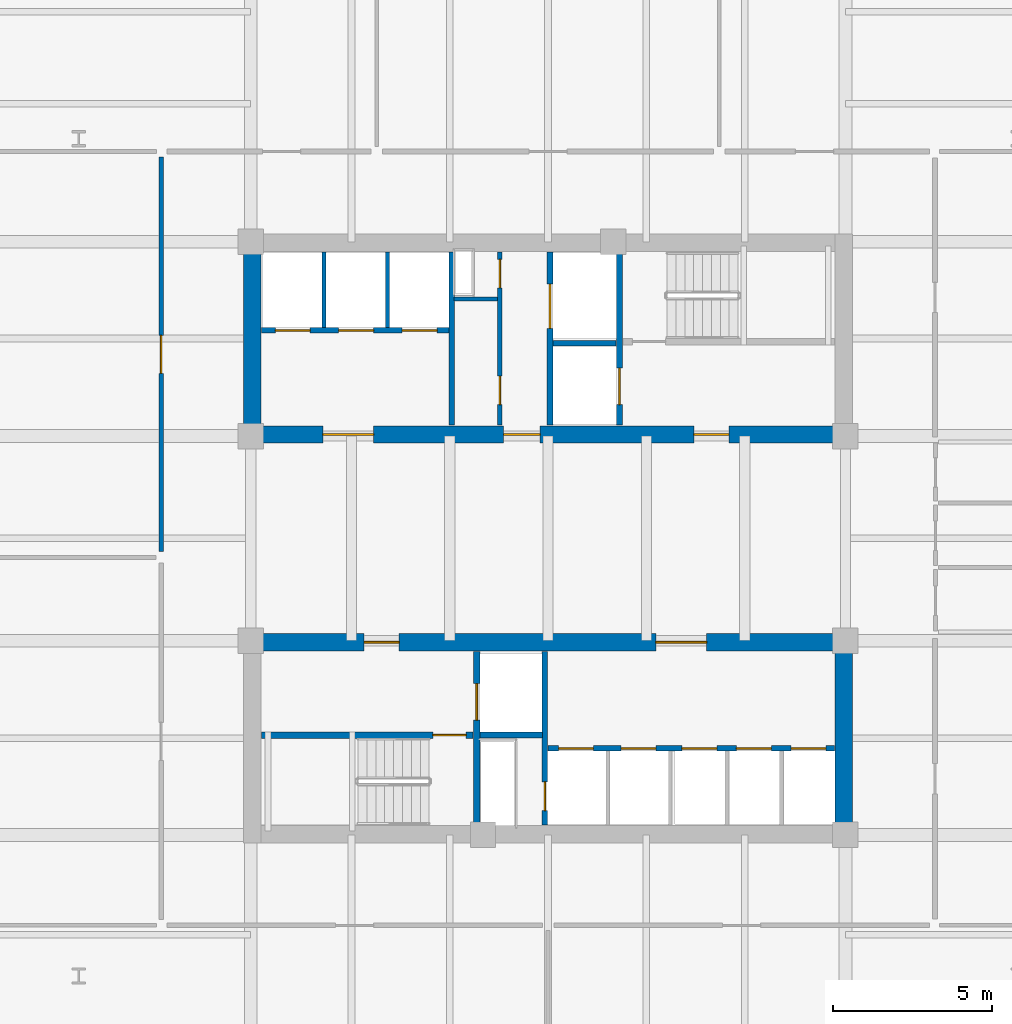
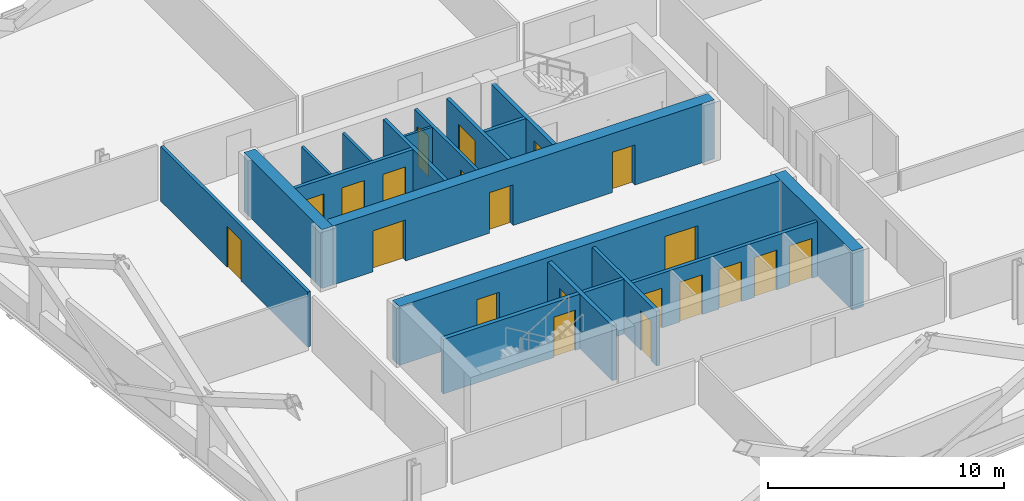
# One storey, part 4 of 8: 21 doors, 19 walls, 21 openings.
"""IFC4 building model written with IfcOpenShell, lengths in metres."""

from ifc_helpers import new_model, si_unit, direction, frame, frame_2d, origin, place, context, subcontext, project, spatial, rectangle, extrude, material, layer, layer_set, type_object, element, fill, save


model = new_model("IFC4")

# Units and contexts
model_context = context("Model", 3, precision=1e-05, world=origin(), true_north=direction((0.0, 1.0)))
body_context = subcontext(model_context, "Body", "Model", "MODEL_VIEW")
ifc_project = project(units=[si_unit("LENGTHUNIT", "METRE"), si_unit("AREAUNIT", "SQUARE_METRE"), si_unit("VOLUMEUNIT", "CUBIC_METRE"), si_unit("PLANEANGLEUNIT", "RADIAN"), si_unit("MASSUNIT", "GRAM", prefix="KILO")], contexts=[model_context])

# Site, building, storey
site_placement = place(None, origin())
site = spatial("IfcSite", under=ifc_project, at=site_placement, CompositionType="ELEMENT")
building_placement = place(site_placement, origin())
building = spatial("IfcBuilding", under=site, at=building_placement, Name="Qhalaya Broadcast Tower", CompositionType="ELEMENT")
storey_placement = place(building_placement, frame((0.0, 0.0, 93.85009765625)))
storey = spatial("IfcBuildingStorey", under=building, at=storey_placement, Name="L27", CompositionType="ELEMENT", Elevation=93.85009765625)

# Wall, openings, doors
ifc_material_1 = material(Name="Gypsum Acoustic Partition")
ifc_layer_1 = layer(ifc_material_1, 0.14990234375, Name="Gypsum Acoustic Partition")
ifc_layer_set_1 = layer_set([ifc_layer_1], Name="Gypsum Acoustic Partition")
wall_type_1 = type_object("IfcWallType", Name="Corridor & Tenancy Acoustic Partition 150", PredefinedType="PARTITIONING", material=ifc_layer_set_1)
wall_1_placement = place(storey_placement, frame((-1.52001953125, 4.169921875, 0.0), z_axis=(0.0, 0.0, 1.0), x_axis=(0.0, 1.0, 0.0)))
wall_1 = element("IfcWall", 1, at=wall_1_placement, inside=storey, type_object=wall_type_1, Name="L27 Partition Wall NCW-SVL", PredefinedType="PARTITIONING", context=body_context, shape_type="SweptSolid", body=[
    extrude(rectangle(XDim=5.4599609375, YDim=0.14990234375, at=frame_2d((2.72998046875, 0.0))), origin(), (0.0, 0.0, 1.0), 2.829833984375),
])
opening_1_placement = place(wall_1_placement, frame((4.330078125, 0.0, 0.0)))
opening_1 = element("IfcOpeningElement", 2, at=opening_1_placement, cuts=wall_1, Name="Opening D06", PredefinedType="OPENING", context=body_context, shape_type="SweptSolid", body=[
    extrude(rectangle(XDim=0.89990234375, YDim=2.050048828125, at=frame_2d((0.449951171875, 1.02490234375))), frame((0.0, 0.0869140625, 0.0), z_axis=(0.0, -1.0, 0.0), x_axis=(1.0, 0.0, 0.0)), (0.0, 0.0, 1.0), 0.173828125),
])
opening_2_placement = place(wall_1_placement, frame((0.64990234375, 0.0, 0.0)))
opening_2 = element("IfcOpeningElement", 3, at=opening_2_placement, cuts=wall_1, Name="Opening D06", PredefinedType="OPENING", context=body_context, shape_type="SweptSolid", body=[
    extrude(rectangle(XDim=0.89990234375, YDim=2.050048828125, at=frame_2d((0.449951171875, 1.02490234375))), frame((0.0, 0.0869140625, 0.0), z_axis=(0.0, -1.0, 0.0), x_axis=(1.0, 0.0, 0.0)), (0.0, 0.0, 1.0), 0.173828125),
])
ifc_material_2 = material(Name="Fire-Rated Steel Door", Category="steel")
door_type_1 = type_object("IfcDoorType", Name="Riser & Electrical Shaft Access Door D06", OperationType="NOTDEFINED", PredefinedType="DOOR", material=ifc_material_2)
door_1_placement = place(opening_1_placement, origin())
door_1 = element("IfcDoor", 4, at=door_1_placement, inside=storey, type_object=door_type_1, Name="L27 Riser Shaft Access Door D-NRSR", OperationType="SINGLE_SWING_RIGHT", OverallHeight=2.050048828125, OverallWidth=0.89990234375, PredefinedType="DOOR", context=body_context, shape_type="SweptSolid", body=[
    extrude(rectangle(XDim=0.89990234375, YDim=2.050048828125, at=frame_2d((0.449951171875, 1.02490234375))), frame((0.0, 0.02490234375, 0.0), z_axis=(0.0, -1.0, 0.0), x_axis=(1.0, 0.0, 0.0)), (0.0, 0.0, 1.0), 0.050048828125),
])
fill(opening_1, door_1)
door_2_placement = place(opening_2_placement, origin())
door_2 = element("IfcDoor", 5, at=door_2_placement, inside=storey, type_object=door_type_1, Name="L27 Door D-NCST", OperationType="SINGLE_SWING_LEFT", OverallHeight=2.050048828125, OverallWidth=0.89990234375, PredefinedType="DOOR", context=body_context, shape_type="SweptSolid", body=[
    extrude(rectangle(XDim=0.89990234375, YDim=2.050048828125, at=frame_2d((0.449951171875, 1.02490234375))), frame((0.0, 0.02490234375, 0.0), z_axis=(0.0, -1.0, 0.0), x_axis=(1.0, 0.0, 0.0)), (0.0, 0.0, 1.0), 0.050048828125),
])
fill(opening_2, door_2)

# Wall, opening, door
wall_2_placement = place(storey_placement, frame((-12.199951171875, 0.179931640625, 0.0), z_axis=(0.0, 0.0, 1.0), x_axis=(0.0, 1.0, 0.0)))
wall_2 = element("IfcWall", 6, at=wall_2_placement, inside=storey, type_object=wall_type_1, Name="L27 Partition Wall W-COR-07", PredefinedType="PARTITIONING", context=body_context, shape_type="SweptSolid", body=[
    extrude(rectangle(XDim=12.440185546875, YDim=0.14990234375, at=frame_2d((6.22021484375, 0.0))), origin(), (0.0, 0.0, 1.0), 2.829833984375),
])
opening_3_placement = place(wall_2_placement, frame((5.6201171875, 0.0, 0.0)))
opening_3 = element("IfcOpeningElement", 7, at=opening_3_placement, cuts=wall_2, Name="Opening D11", PredefinedType="OPENING", context=body_context, shape_type="SweptSolid", body=[
    extrude(rectangle(XDim=1.199951171875, YDim=2.10009765625, at=frame_2d((0.60009765625, 1.050048828125))), frame((0.0, 0.0869140625, 0.0), z_axis=(0.0, -1.0, 0.0), x_axis=(1.0, 0.0, 0.0)), (0.0, 0.0, 1.0), 0.173828125),
])
ifc_material_3 = material(Name="Anodised Aluminium Glazed Door", Category="aluminium")
door_type_2 = type_object("IfcDoorType", Name="Conference, Boardroom & Studio Control Door D11", OperationType="NOTDEFINED", PredefinedType="DOOR", material=ifc_material_3)
door_3_placement = place(opening_3_placement, origin())
door_3 = element("IfcDoor", 8, at=door_3_placement, inside=storey, type_object=door_type_2, Name="L27 Door D-RM07", OperationType="SINGLE_SWING_LEFT", OverallHeight=2.10009765625, OverallWidth=1.199951171875, PredefinedType="DOOR", context=body_context, shape_type="SweptSolid", body=[
    extrude(rectangle(XDim=1.199951171875, YDim=2.10009765625, at=frame_2d((0.60009765625, 1.050048828125))), frame((0.0, 0.02490234375, 0.0), z_axis=(0.0, -1.0, 0.0), x_axis=(1.0, 0.0, 0.0)), (0.0, 0.0, 1.0), 0.050048828125),
])
fill(opening_3, door_3)

ifc_material_4 = material(Name="Concrete C50/60", Category="concrete")
ifc_layer_2 = layer(ifc_material_4, 0.199951171875, Name="Concrete C50/60")
ifc_layer_set_2 = layer_set([ifc_layer_2], Name="Concrete C50/60")
wall_type_2 = type_object("IfcWallType", Name="Load-Bearing Stair Shaft Wall 200", PredefinedType="SHEAR", material=ifc_layer_set_2)
wall_3_placement = place(storey_placement, frame((2.25, 4.169921875, 0.0), z_axis=(0.0, 0.0, 1.0), x_axis=(0.0, 1.0, 0.0)))
wall_3 = element("IfcWall", 9, at=wall_3_placement, inside=storey, type_object=wall_type_2, Name="L27 Stair Core Shear Wall NCW-FF", PredefinedType="SHEAR", context=body_context, shape_type="SweptSolid", body=[
    extrude(rectangle(XDim=5.4599609375, YDim=0.199951171875, at=frame_2d((2.72998046875, 0.0))), origin(), (0.0, 0.0, 1.0), 2.829833984375),
])
opening_4_placement = place(wall_3_placement, frame((0.64990234375, 0.0, 0.0)))
opening_4 = element("IfcOpeningElement", 10, at=opening_4_placement, cuts=wall_3, Name="Opening LD2", PredefinedType="OPENING", context=body_context, shape_type="SweptSolid", body=[
    extrude(rectangle(XDim=1.14990234375, YDim=2.080078125, at=frame_2d((0.574951171875, 1.0400390625))), frame((0.0, 0.112060546875, 0.0), z_axis=(0.0, -1.0, 0.0), x_axis=(1.0, 0.0, 0.0)), (0.0, 0.0, 1.0), 0.223876953125),
])
ifc_material_5 = material(Name="Brushed Stainless Steel Lift Door", Category="steel")
door_type_3 = type_object("IfcDoorType", Name="Firefighting Lift Sliding Landing Door LD2", OperationType="DOUBLE_DOOR_SLIDING", PredefinedType="DOOR", material=ifc_material_5)
door_4_placement = place(opening_4_placement, origin())
door_4 = element("IfcDoor", 11, at=door_4_placement, inside=storey, type_object=door_type_3, Name="L27 Door LD-FF1", OperationType="DOUBLE_DOOR_SLIDING", OverallHeight=2.080078125, OverallWidth=1.14990234375, PredefinedType="DOOR", context=body_context, shape_type="SweptSolid", body=[
    extrude(rectangle(XDim=1.14990234375, YDim=2.080078125, at=frame_2d((0.574951171875, 1.0400390625))), frame((0.0, 0.02490234375, 0.0), z_axis=(0.0, -1.0, 0.0), x_axis=(1.0, 0.0, 0.0)), (0.0, 0.0, 1.0), 0.050048828125),
])
fill(opening_4, door_4)

wall_4_placement = place(storey_placement, frame((-9.030029296875, -5.60498046875, 0.0), z_axis=(0.0, 0.0, 1.0), x_axis=(1.0, 0.0, 0.0)))
wall_4 = element("IfcWall", 12, at=wall_4_placement, inside=storey, type_object=wall_type_2, Name="L27 Stair Core Shear Wall SCW-ST2", PredefinedType="SHEAR", context=body_context, shape_type="SweptSolid", body=[
    extrude(rectangle(XDim=6.669921875, YDim=0.199951171875, at=frame_2d((3.3349609375, 0.0))), origin(), (0.0, 0.0, 1.0), 2.829833984375),
])
opening_5_placement = place(wall_4_placement, frame((5.39990234375, 0.0, 0.0)))
opening_5 = element("IfcOpeningElement", 13, at=opening_5_placement, cuts=wall_4, Name="Opening D03", PredefinedType="OPENING", context=body_context, shape_type="SweptSolid", body=[
    extrude(rectangle(XDim=1.050048828125, YDim=2.080078125, at=frame_2d((0.52490234375, 1.0400390625))), frame((0.0, 0.112060546875, 0.0), z_axis=(0.0, -1.0, 0.0), x_axis=(1.0, 0.0, 0.0)), (0.0, 0.0, 1.0), 0.223876953125),
])
door_type_4 = type_object("IfcDoorType", Name="Core Stair Protected Fire Door D03", OperationType="NOTDEFINED", PredefinedType="DOOR", material=ifc_material_2)
door_5_placement = place(opening_5_placement, origin())
door_5 = element("IfcDoor", 14, at=door_5_placement, inside=storey, type_object=door_type_4, Name="L27 Door D-SST2", OperationType="SINGLE_SWING_RIGHT", OverallHeight=2.080078125, OverallWidth=1.050048828125, PredefinedType="DOOR", context=body_context, shape_type="SweptSolid", body=[
    extrude(rectangle(XDim=1.050048828125, YDim=2.080078125, at=frame_2d((0.52490234375, 1.0400390625))), frame((0.0, 0.02490234375, 0.0), z_axis=(0.0, -1.0, 0.0), x_axis=(1.0, 0.0, 0.0)), (0.0, 0.0, 1.0), 0.050048828125),
])
fill(opening_5, door_5)

wall_5_placement = place(storey_placement, frame((-2.25, -8.429931640625, 0.0), z_axis=(0.0, 0.0, 1.0), x_axis=(0.0, 1.0, 0.0)))
wall_5 = element("IfcWall", 15, at=wall_5_placement, inside=storey, type_object=wall_type_2, Name="L27 Stair Core Shear Wall SCW-FF", PredefinedType="SHEAR", context=body_context, shape_type="SweptSolid", body=[
    extrude(rectangle(XDim=5.4599609375, YDim=0.199951171875, at=frame_2d((2.72998046875, 0.0))), origin(), (0.0, 0.0, 1.0), 2.829833984375),
])
opening_6_placement = place(wall_5_placement, frame((3.300048828125, 0.0, 0.0)))
opening_6 = element("IfcOpeningElement", 16, at=opening_6_placement, cuts=wall_5, Name="Opening LD2", PredefinedType="OPENING", context=body_context, shape_type="SweptSolid", body=[
    extrude(rectangle(XDim=1.14990234375, YDim=2.080078125, at=frame_2d((0.574951171875, 1.0400390625))), frame((0.0, 0.112060546875, 0.0), z_axis=(0.0, -1.0, 0.0), x_axis=(1.0, 0.0, 0.0)), (0.0, 0.0, 1.0), 0.223876953125),
])
door_6_placement = place(opening_6_placement, origin())
door_6 = element("IfcDoor", 17, at=door_6_placement, inside=storey, type_object=door_type_3, Name="L27 Door LD-FF2", OperationType="DOUBLE_DOOR_SLIDING", OverallHeight=2.080078125, OverallWidth=1.14990234375, PredefinedType="DOOR", context=body_context, shape_type="SweptSolid", body=[
    extrude(rectangle(XDim=1.14990234375, YDim=2.080078125, at=frame_2d((0.574951171875, 1.0400390625))), frame((0.0, 0.02490234375, 0.0), z_axis=(0.0, -1.0, 0.0), x_axis=(1.0, 0.0, 0.0)), (0.0, 0.0, 1.0), 0.050048828125),
])
fill(opening_6, door_6)

# Wall, openings, doors
ifc_material_6 = material(Name="Concrete C60/75", Category="concrete")
ifc_layer_3 = layer(ifc_material_6, 0.550048828125, Name="Concrete C60/75")
ifc_layer_set_3 = layer_set([ifc_layer_3], Name="Concrete C60/75")
wall_type_3 = type_object("IfcWallType", Name="Lower Split-Core Shear Wall 550", PredefinedType="SHEAR", material=ifc_layer_set_3)
wall_6_placement = place(storey_placement, frame((-9.60009765625, 3.875, 0.0), z_axis=(0.0, 0.0, 1.0), x_axis=(1.0, 0.0, 0.0)))
wall_6 = element("IfcWall", 18, at=wall_6_placement, inside=storey, type_object=wall_type_3, Name="L27 Split-Core Shear Wall CW-NS", PredefinedType="SHEAR", context=body_context, shape_type="SweptSolid", body=[
    extrude(rectangle(XDim=19.2001953125, YDim=0.550048828125, at=frame_2d((9.60009765625, 0.0))), origin(), (0.0, 0.0, 1.0), 3.0498046875),
])
opening_7_placement = place(wall_6_placement, frame((14.199951171875, 0.0, 0.0)))
opening_7 = element("IfcOpeningElement", 19, at=opening_7_placement, cuts=wall_6, Name="Opening D04", PredefinedType="OPENING", context=body_context, shape_type="SweptSolid", body=[
    extrude(rectangle(XDim=1.10009765625, YDim=2.080078125, at=frame_2d((0.550048828125, 1.0400390625))), frame((0.0, 0.287109375, 0.0), z_axis=(0.0, -1.0, 0.0), x_axis=(1.0, 0.0, 0.0)), (0.0, 0.0, 1.0), 0.573974609375),
])
opening_8_placement = place(wall_6_placement, frame((8.199951171875, 0.0, 0.0)))
opening_8 = element("IfcOpeningElement", 20, at=opening_8_placement, cuts=wall_6, Name="Opening D05", PredefinedType="OPENING", context=body_context, shape_type="SweptSolid", body=[
    extrude(rectangle(XDim=1.14990234375, YDim=2.10009765625, at=frame_2d((0.574951171875, 1.050048828125))), frame((0.0, 0.287109375, 0.0), z_axis=(0.0, -1.0, 0.0), x_axis=(1.0, 0.0, 0.0)), (0.0, 0.0, 1.0), 0.573974609375),
])
opening_9_placement = place(wall_6_placement, frame((2.5, 0.0, 0.0)))
opening_9 = element("IfcOpeningElement", 21, at=opening_9_placement, cuts=wall_6, Name="Opening D07", PredefinedType="OPENING", context=body_context, shape_type="SweptSolid", body=[
    extrude(rectangle(XDim=1.60009765625, YDim=2.1201171875, at=frame_2d((0.800048828125, 1.06005859375))), frame((0.0, 0.287109375, 0.0), z_axis=(0.0, -1.0, 0.0), x_axis=(1.0, 0.0, 0.0)), (0.0, 0.0, 1.0), 0.573974609375),
])
door_type_5 = type_object("IfcDoorType", Name="Firefighting Lobby Rated Door D04", OperationType="NOTDEFINED", PredefinedType="DOOR", material=ifc_material_2)
door_7_placement = place(opening_7_placement, origin())
door_7 = element("IfcDoor", 22, at=door_7_placement, inside=storey, type_object=door_type_5, Name="L27 Door D-NFF", OperationType="SINGLE_SWING_RIGHT", OverallHeight=2.080078125, OverallWidth=1.10009765625, PredefinedType="DOOR", context=body_context, shape_type="SweptSolid", body=[
    extrude(rectangle(XDim=1.10009765625, YDim=2.080078125, at=frame_2d((0.550048828125, 1.0400390625))), frame((0.0, 0.02490234375, 0.0), z_axis=(0.0, -1.0, 0.0), x_axis=(1.0, 0.0, 0.0)), (0.0, 0.0, 1.0), 0.050048828125),
])
fill(opening_7, door_7)
door_type_6 = type_object("IfcDoorType", Name="Passenger Lift Lobby Double Glazed Door D07", OperationType="DOUBLE_DOOR_SINGLE_SWING", PredefinedType="DOOR", material=ifc_material_3)
door_8_placement = place(opening_9_placement, origin())
door_8 = element("IfcDoor", 23, at=door_8_placement, inside=storey, type_object=door_type_6, Name="L27 Door D-NPLL", OperationType="DOUBLE_DOOR_SINGLE_SWING", OverallHeight=2.1201171875, OverallWidth=1.60009765625, PredefinedType="DOOR", context=body_context, shape_type="SweptSolid", body=[
    extrude(rectangle(XDim=1.60009765625, YDim=2.1201171875, at=frame_2d((0.800048828125, 1.06005859375))), frame((0.0, 0.02490234375, 0.0), z_axis=(0.0, -1.0, 0.0), x_axis=(1.0, 0.0, 0.0)), (0.0, 0.0, 1.0), 0.050048828125),
])
fill(opening_9, door_8)
door_type_7 = type_object("IfcDoorType", Name="Refuge & Plant Room Fire Door D05", OperationType="NOTDEFINED", PredefinedType="DOOR", material=ifc_material_2)
door_9_placement = place(opening_8_placement, origin())
door_9 = element("IfcDoor", 24, at=door_9_placement, inside=storey, type_object=door_type_7, Name="L27 Door D-NSVL", OperationType="SINGLE_SWING_LEFT", OverallHeight=2.10009765625, OverallWidth=1.14990234375, PredefinedType="DOOR", context=body_context, shape_type="SweptSolid", body=[
    extrude(rectangle(XDim=1.14990234375, YDim=2.10009765625, at=frame_2d((0.574951171875, 1.050048828125))), frame((0.0, 0.02490234375, 0.0), z_axis=(0.0, -1.0, 0.0), x_axis=(1.0, 0.0, 0.0)), (0.0, 0.0, 1.0), 0.050048828125),
])
fill(opening_8, door_9)

# Wall
wall_7_placement = place(storey_placement, frame((-9.324951171875, 3.60009765625, 0.0), z_axis=(0.0, 0.0, 1.0), x_axis=(0.0, 1.0, 0.0)))
element("IfcWall", 25, at=wall_7_placement, inside=storey, type_object=wall_type_3, Name="L27 Split-Core Shear Wall CW-NW", PredefinedType="SHEAR", context=body_context, shape_type="SweptSolid", body=[
    extrude(rectangle(XDim=6.599853515625, YDim=0.550048828125, at=frame_2d((3.2998046875, 0.0))), origin(), (0.0, 0.0, 1.0), 3.0498046875),
])

# Wall, openings, doors
wall_8_placement = place(storey_placement, frame((-9.60009765625, -2.675048828125, 0.0), z_axis=(0.0, 0.0, 1.0), x_axis=(1.0, 0.0, 0.0)))
wall_8 = element("IfcWall", 26, at=wall_8_placement, inside=storey, type_object=wall_type_3, Name="L27 Split-Core Shear Wall CW-SN", PredefinedType="SHEAR", context=body_context, shape_type="SweptSolid", body=[
    extrude(rectangle(XDim=19.2001953125, YDim=0.550048828125, at=frame_2d((9.60009765625, 0.0))), origin(), (0.0, 0.0, 1.0), 3.0498046875),
])
opening_10_placement = place(wall_8_placement, frame((3.800048828125, 0.0, 0.0)))
opening_10 = element("IfcOpeningElement", 27, at=opening_10_placement, cuts=wall_8, Name="Opening D04", PredefinedType="OPENING", context=body_context, shape_type="SweptSolid", body=[
    extrude(rectangle(XDim=1.10009765625, YDim=2.080078125, at=frame_2d((0.550048828125, 1.0400390625))), frame((0.0, 0.287109375, 0.0), z_axis=(0.0, -1.0, 0.0), x_axis=(1.0, 0.0, 0.0)), (0.0, 0.0, 1.0), 0.573974609375),
])
opening_11_placement = place(wall_8_placement, frame((13.0, 0.0, 0.0)))
opening_11 = element("IfcOpeningElement", 28, at=opening_11_placement, cuts=wall_8, Name="Opening D07", PredefinedType="OPENING", context=body_context, shape_type="SweptSolid", body=[
    extrude(rectangle(XDim=1.60009765625, YDim=2.1201171875, at=frame_2d((0.800048828125, 1.06005859375))), frame((0.0, 0.287109375, 0.0), z_axis=(0.0, -1.0, 0.0), x_axis=(1.0, 0.0, 0.0)), (0.0, 0.0, 1.0), 0.573974609375),
])
door_10_placement = place(opening_10_placement, origin())
door_10 = element("IfcDoor", 29, at=door_10_placement, inside=storey, type_object=door_type_5, Name="L27 Door D-SFF", OperationType="SINGLE_SWING_LEFT", OverallHeight=2.080078125, OverallWidth=1.10009765625, PredefinedType="DOOR", context=body_context, shape_type="SweptSolid", body=[
    extrude(rectangle(XDim=1.10009765625, YDim=2.080078125, at=frame_2d((0.550048828125, 1.0400390625))), frame((0.0, 0.02490234375, 0.0), z_axis=(0.0, -1.0, 0.0), x_axis=(1.0, 0.0, 0.0)), (0.0, 0.0, 1.0), 0.050048828125),
])
fill(opening_10, door_10)
door_11_placement = place(opening_11_placement, origin())
door_11 = element("IfcDoor", 30, at=door_11_placement, inside=storey, type_object=door_type_6, Name="L27 Door D-SPLL", OperationType="DOUBLE_DOOR_SINGLE_SWING", OverallHeight=2.1201171875, OverallWidth=1.60009765625, PredefinedType="DOOR", context=body_context, shape_type="SweptSolid", body=[
    extrude(rectangle(XDim=1.60009765625, YDim=2.1201171875, at=frame_2d((0.800048828125, 1.06005859375))), frame((0.0, 0.02490234375, 0.0), z_axis=(0.0, -1.0, 0.0), x_axis=(1.0, 0.0, 0.0)), (0.0, 0.0, 1.0), 0.050048828125),
])
fill(opening_11, door_11)

# Walls
wall_9_placement = place(storey_placement, frame((9.324951171875, -9.0, 0.0), z_axis=(0.0, 0.0, 1.0), x_axis=(0.0, 1.0, 0.0)))
element("IfcWall", 31, at=wall_9_placement, inside=storey, type_object=wall_type_3, Name="L27 Split-Core Shear Wall CW-SE", PredefinedType="SHEAR", context=body_context, shape_type="SweptSolid", body=[
    extrude(rectangle(XDim=6.60009765625, YDim=0.550048828125, at=frame_2d((3.300048828125, 0.0))), origin(), (0.0, 0.0, 1.0), 3.0498046875),
])
ifc_layer_4 = layer(ifc_material_1, 0.1201171875, Name="Gypsum Acoustic Partition")
ifc_layer_set_4 = layer_set([ifc_layer_4], Name="Gypsum Acoustic Partition")
wall_type_4 = type_object("IfcWallType", Name="Office, Booth & Sanitary Partition 120", PredefinedType="PARTITIONING", material=ifc_layer_set_4)
wall_10_placement = place(storey_placement, frame((-2.9599609375, 8.14990234375, 0.0), z_axis=(0.0, 0.0, 1.0), x_axis=(1.0, 0.0, 0.0)))
element("IfcWall", 32, at=wall_10_placement, inside=storey, type_object=wall_type_4, Name="L27 Partition Wall NCW-VA", PredefinedType="PARTITIONING", context=body_context, shape_type="SweptSolid", body=[
    extrude(rectangle(XDim=1.35986328125, YDim=0.1201171875, at=frame_2d((0.679931640625, 0.0))), origin(), (0.0, 0.0, 1.0), 2.829833984375),
])
for number, where, z_axis, x_axis, name in (
    (33, (-7.06005859375, 7.25, 0.0), (0.0, 0.0, 1.0), (0.0, 1.0, 0.0), "L27 Partition Wall NCW-PD1"),
    (34, (-5.06005859375, 7.25, 0.0), (0.0, 0.0, 1.0), (0.0, 1.0, 0.0), "L27 Partition Wall NCW-PD2"),
):
    element("IfcWall", number, at=place(storey_placement, frame(where, z_axis=z_axis, x_axis=x_axis)), inside=storey, type_object=wall_type_4, Name=name, PredefinedType="PARTITIONING", context=body_context, shape_type="SweptSolid", body=[
        extrude(rectangle(XDim=2.3798828125, YDim=0.1201171875, at=frame_2d((1.18994140625, 0.0))), origin(), (0.0, 0.0, 1.0), 2.829833984375),
    ])

# Wall, opening, door
ifc_layer_5 = layer(ifc_material_1, 0.175048828125, Name="Gypsum Acoustic Partition")
ifc_layer_set_5 = layer_set([ifc_layer_5], Name="Gypsum Acoustic Partition")
wall_type_5 = type_object("IfcWallType", Name="Shaft & Riser Fire Partition 175", PredefinedType="PARTITIONING", material=ifc_layer_set_5)
wall_11_placement = place(storey_placement, frame((0.06005859375, 4.169921875, 0.0), z_axis=(0.0, 0.0, 1.0), x_axis=(0.0, 1.0, 0.0)))
wall_11 = element("IfcWall", 35, at=wall_11_placement, inside=storey, type_object=wall_type_5, Name="L27 Partition Wall NCW-SVW", PredefinedType="PARTITIONING", context=body_context, shape_type="SweptSolid", body=[
    extrude(rectangle(XDim=5.4599609375, YDim=0.175048828125, at=frame_2d((2.72998046875, 0.0))), origin(), (0.0, 0.0, 1.0), 2.829833984375),
])
opening_12_placement = place(wall_11_placement, frame((3.050048828125, 0.0, 0.0)))
opening_12 = element("IfcOpeningElement", 36, at=opening_12_placement, cuts=wall_11, Name="Opening LD3", PredefinedType="OPENING", context=body_context, shape_type="SweptSolid", body=[
    extrude(rectangle(XDim=1.39990234375, YDim=2.1201171875, at=frame_2d((0.699951171875, 1.06005859375))), frame((0.0, 0.099609375, 0.0), z_axis=(0.0, -1.0, 0.0), x_axis=(1.0, 0.0, 0.0)), (0.0, 0.0, 1.0), 0.198974609375),
])
door_type_8 = type_object("IfcDoorType", Name="Service Lift Wide Sliding Landing Door LD3", OperationType="DOUBLE_DOOR_SLIDING", PredefinedType="DOOR", material=ifc_material_5)
door_12_placement = place(opening_12_placement, origin())
door_12 = element("IfcDoor", 37, at=door_12_placement, inside=storey, type_object=door_type_8, Name="L27 Door LD-SV1", OperationType="DOUBLE_DOOR_SLIDING", OverallHeight=2.1201171875, OverallWidth=1.39990234375, PredefinedType="DOOR", context=body_context, shape_type="SweptSolid", body=[
    extrude(rectangle(XDim=1.39990234375, YDim=2.1201171875, at=frame_2d((0.699951171875, 1.06005859375))), frame((0.0, 0.02490234375, 0.0), z_axis=(0.0, -1.0, 0.0), x_axis=(1.0, 0.0, 0.0)), (0.0, 0.0, 1.0), 0.050048828125),
])
fill(opening_12, door_12)

# Walls
wall_12_placement = place(storey_placement, frame((0.159912109375, 6.75, 0.0), z_axis=(0.0, 0.0, 1.0), x_axis=(1.0, 0.0, 0.0)))
element("IfcWall", 38, at=wall_12_placement, inside=storey, type_object=wall_type_5, Name="L27 Partition Wall NCW-SVM", PredefinedType="PARTITIONING", context=body_context, shape_type="SweptSolid", body=[
    extrude(rectangle(XDim=1.97998046875, YDim=0.175048828125, at=frame_2d((0.989990234375, 0.0))), origin(), (0.0, 0.0, 1.0), 2.829833984375),
])
wall_13_placement = place(storey_placement, frame((-3.0400390625, 4.169921875, 0.0), z_axis=(0.0, 0.0, 1.0), x_axis=(0.0, 1.0, 0.0)))
element("IfcWall", 39, at=wall_13_placement, inside=storey, type_object=wall_type_5, Name="L27 Partition Wall NCW-VRW", PredefinedType="PARTITIONING", context=body_context, shape_type="SweptSolid", body=[
    extrude(rectangle(XDim=5.4599609375, YDim=0.175048828125, at=frame_2d((2.72998046875, 0.0))), origin(), (0.0, 0.0, 1.0), 2.829833984375),
])

# Wall, openings, doors
wall_14_placement = place(storey_placement, frame((-9.030029296875, 7.159912109375, 0.0), z_axis=(0.0, 0.0, 1.0), x_axis=(1.0, 0.0, 0.0)))
wall_14 = element("IfcWall", 40, at=wall_14_placement, inside=storey, type_object=wall_type_5, Name="L27 Partition Wall NCW-PLB", PredefinedType="PARTITIONING", context=body_context, shape_type="SweptSolid", body=[
    extrude(rectangle(XDim=5.909912109375, YDim=0.175048828125, at=frame_2d((2.955078125, 0.0))), origin(), (0.0, 0.0, 1.0), 2.829833984375),
])
opening_13_placement = place(wall_14_placement, frame((0.429931640625, 0.0, 0.0)))
opening_13 = element("IfcOpeningElement", 41, at=opening_13_placement, cuts=wall_14, Name="Opening LD1", PredefinedType="OPENING", context=body_context, shape_type="SweptSolid", body=[
    extrude(rectangle(XDim=1.10009765625, YDim=2.06005859375, at=frame_2d((0.550048828125, 1.030029296875))), frame((0.0, 0.099609375, 0.0), z_axis=(0.0, -1.0, 0.0), x_axis=(1.0, 0.0, 0.0)), (0.0, 0.0, 1.0), 0.198974609375),
])
opening_14_placement = place(wall_14_placement, frame((2.429931640625, 0.0, 0.0)))
opening_14 = element("IfcOpeningElement", 42, at=opening_14_placement, cuts=wall_14, Name="Opening LD1", PredefinedType="OPENING", context=body_context, shape_type="SweptSolid", body=[
    extrude(rectangle(XDim=1.10009765625, YDim=2.06005859375, at=frame_2d((0.550048828125, 1.030029296875))), frame((0.0, 0.099609375, 0.0), z_axis=(0.0, -1.0, 0.0), x_axis=(1.0, 0.0, 0.0)), (0.0, 0.0, 1.0), 0.198974609375),
])
opening_15_placement = place(wall_14_placement, frame((4.429931640625, 0.0, 0.0)))
opening_15 = element("IfcOpeningElement", 43, at=opening_15_placement, cuts=wall_14, Name="Opening LD1", PredefinedType="OPENING", context=body_context, shape_type="SweptSolid", body=[
    extrude(rectangle(XDim=1.10009765625, YDim=2.06005859375, at=frame_2d((0.550048828125, 1.030029296875))), frame((0.0, 0.099609375, 0.0), z_axis=(0.0, -1.0, 0.0), x_axis=(1.0, 0.0, 0.0)), (0.0, 0.0, 1.0), 0.198974609375),
])
door_type_9 = type_object("IfcDoorType", Name="Passenger Lift Sliding Landing Door LD1", OperationType="DOUBLE_DOOR_SLIDING", PredefinedType="DOOR", material=ifc_material_5)
door_13_placement = place(opening_13_placement, origin())
door_13 = element("IfcDoor", 44, at=door_13_placement, inside=storey, type_object=door_type_9, Name="L27 Door LD-P1", OperationType="DOUBLE_DOOR_SLIDING", OverallHeight=2.06005859375, OverallWidth=1.10009765625, PredefinedType="DOOR", context=body_context, shape_type="SweptSolid", body=[
    extrude(rectangle(XDim=1.10009765625, YDim=2.06005859375, at=frame_2d((0.550048828125, 1.030029296875))), frame((0.0, 0.02490234375, 0.0), z_axis=(0.0, -1.0, 0.0), x_axis=(1.0, 0.0, 0.0)), (0.0, 0.0, 1.0), 0.050048828125),
])
fill(opening_13, door_13)
door_14_placement = place(opening_14_placement, origin())
door_14 = element("IfcDoor", 45, at=door_14_placement, inside=storey, type_object=door_type_9, Name="L27 Door LD-P2", OperationType="DOUBLE_DOOR_SLIDING", OverallHeight=2.06005859375, OverallWidth=1.10009765625, PredefinedType="DOOR", context=body_context, shape_type="SweptSolid", body=[
    extrude(rectangle(XDim=1.10009765625, YDim=2.06005859375, at=frame_2d((0.550048828125, 1.030029296875))), frame((0.0, 0.02490234375, 0.0), z_axis=(0.0, -1.0, 0.0), x_axis=(1.0, 0.0, 0.0)), (0.0, 0.0, 1.0), 0.050048828125),
])
fill(opening_14, door_14)
door_15_placement = place(opening_15_placement, origin())
door_15 = element("IfcDoor", 46, at=door_15_placement, inside=storey, type_object=door_type_9, Name="L27 Door LD-P3", OperationType="DOUBLE_DOOR_SLIDING", OverallHeight=2.06005859375, OverallWidth=1.10009765625, PredefinedType="DOOR", context=body_context, shape_type="SweptSolid", body=[
    extrude(rectangle(XDim=1.10009765625, YDim=2.06005859375, at=frame_2d((0.550048828125, 1.030029296875))), frame((0.0, 0.02490234375, 0.0), z_axis=(0.0, -1.0, 0.0), x_axis=(1.0, 0.0, 0.0)), (0.0, 0.0, 1.0), 0.050048828125),
])
fill(opening_15, door_15)

# Wall, opening, door
wall_15_placement = place(storey_placement, frame((-0.10009765625, -8.429931640625, 0.0), z_axis=(0.0, 0.0, 1.0), x_axis=(0.0, 1.0, 0.0)))
wall_15 = element("IfcWall", 47, at=wall_15_placement, inside=storey, type_object=wall_type_5, Name="L27 Partition Wall SCW-FFE", PredefinedType="PARTITIONING", context=body_context, shape_type="SweptSolid", body=[
    extrude(rectangle(XDim=5.4599609375, YDim=0.175048828125, at=frame_2d((2.72998046875, 0.0))), origin(), (0.0, 0.0, 1.0), 2.829833984375),
])
opening_16_placement = place(wall_15_placement, frame((0.449951171875, 0.0, 0.0)))
opening_16 = element("IfcOpeningElement", 48, at=opening_16_placement, cuts=wall_15, Name="Opening D06", PredefinedType="OPENING", context=body_context, shape_type="SweptSolid", body=[
    extrude(rectangle(XDim=0.89990234375, YDim=2.050048828125, at=frame_2d((0.449951171875, 1.02490234375))), frame((0.0, 0.099609375, 0.0), z_axis=(0.0, -1.0, 0.0), x_axis=(1.0, 0.0, 0.0)), (0.0, 0.0, 1.0), 0.198974609375),
])
door_16_placement = place(opening_16_placement, origin())
door_16 = element("IfcDoor", 49, at=door_16_placement, inside=storey, type_object=door_type_1, Name="L27 Riser Shaft Access Door D-SRSR", OperationType="SINGLE_SWING_LEFT", OverallHeight=2.050048828125, OverallWidth=0.89990234375, PredefinedType="DOOR", context=body_context, shape_type="SweptSolid", body=[
    extrude(rectangle(XDim=0.89990234375, YDim=2.050048828125, at=frame_2d((0.449951171875, 1.02490234375))), frame((0.0, 0.02490234375, 0.0), z_axis=(0.0, -1.0, 0.0), x_axis=(1.0, 0.0, 0.0)), (0.0, 0.0, 1.0), 0.050048828125),
])
fill(opening_16, door_16)

# Wall
wall_16_placement = place(storey_placement, frame((-2.14990234375, -5.60009765625, 0.0), z_axis=(0.0, 0.0, 1.0), x_axis=(1.0, 0.0, 0.0)))
element("IfcWall", 50, at=wall_16_placement, inside=storey, type_object=wall_type_5, Name="L27 Partition Wall SCW-FFM", PredefinedType="PARTITIONING", context=body_context, shape_type="SweptSolid", body=[
    extrude(rectangle(XDim=1.969970703125, YDim=0.175048828125, at=frame_2d((0.98486328125, 0.0))), origin(), (0.0, 0.0, 1.0), 2.829833984375),
])

# Wall, openings, doors
wall_17_placement = place(storey_placement, frame((0.0, -6.02001953125, 0.0), z_axis=(0.0, 0.0, 1.0), x_axis=(1.0, 0.0, 0.0)))
wall_17 = element("IfcWall", 51, at=wall_17_placement, inside=storey, type_object=wall_type_5, Name="L27 Partition Wall SCW-SLB", PredefinedType="PARTITIONING", context=body_context, shape_type="SweptSolid", body=[
    extrude(rectangle(XDim=9.030029296875, YDim=0.175048828125, at=frame_2d((4.51513671875, 0.0))), origin(), (0.0, 0.0, 1.0), 2.829833984375),
])
opening_17_placement = place(wall_17_placement, frame((0.330078125, 0.0, 0.0)))
opening_17 = element("IfcOpeningElement", 52, at=opening_17_placement, cuts=wall_17, Name="Opening LD1", PredefinedType="OPENING", context=body_context, shape_type="SweptSolid", body=[
    extrude(rectangle(XDim=1.10009765625, YDim=2.06005859375, at=frame_2d((0.550048828125, 1.030029296875))), frame((0.0, 0.099609375, 0.0), z_axis=(0.0, -1.0, 0.0), x_axis=(1.0, 0.0, 0.0)), (0.0, 0.0, 1.0), 0.198974609375),
])
opening_18_placement = place(wall_17_placement, frame((2.300048828125, 0.0, 0.0)))
opening_18 = element("IfcOpeningElement", 53, at=opening_18_placement, cuts=wall_17, Name="Opening LD1", PredefinedType="OPENING", context=body_context, shape_type="SweptSolid", body=[
    extrude(rectangle(XDim=1.10009765625, YDim=2.06005859375, at=frame_2d((0.550048828125, 1.030029296875))), frame((0.0, 0.099609375, 0.0), z_axis=(0.0, -1.0, 0.0), x_axis=(1.0, 0.0, 0.0)), (0.0, 0.0, 1.0), 0.198974609375),
])
opening_19_placement = place(wall_17_placement, frame((4.219970703125, 0.0, 0.0)))
opening_19 = element("IfcOpeningElement", 54, at=opening_19_placement, cuts=wall_17, Name="Opening LD1", PredefinedType="OPENING", context=body_context, shape_type="SweptSolid", body=[
    extrude(rectangle(XDim=1.10009765625, YDim=2.06005859375, at=frame_2d((0.550048828125, 1.030029296875))), frame((0.0, 0.099609375, 0.0), z_axis=(0.0, -1.0, 0.0), x_axis=(1.0, 0.0, 0.0)), (0.0, 0.0, 1.0), 0.198974609375),
])
opening_20_placement = place(wall_17_placement, frame((5.93994140625, 0.0, 0.0)))
opening_20 = element("IfcOpeningElement", 55, at=opening_20_placement, cuts=wall_17, Name="Opening LD1", PredefinedType="OPENING", context=body_context, shape_type="SweptSolid", body=[
    extrude(rectangle(XDim=1.10009765625, YDim=2.06005859375, at=frame_2d((0.550048828125, 1.030029296875))), frame((0.0, 0.099609375, 0.0), z_axis=(0.0, -1.0, 0.0), x_axis=(1.0, 0.0, 0.0)), (0.0, 0.0, 1.0), 0.198974609375),
])
opening_21_placement = place(wall_17_placement, frame((7.659912109375, 0.0, 0.0)))
opening_21 = element("IfcOpeningElement", 56, at=opening_21_placement, cuts=wall_17, Name="Opening LD1", PredefinedType="OPENING", context=body_context, shape_type="SweptSolid", body=[
    extrude(rectangle(XDim=1.10009765625, YDim=2.06005859375, at=frame_2d((0.550048828125, 1.030029296875))), frame((0.0, 0.099609375, 0.0), z_axis=(0.0, -1.0, 0.0), x_axis=(1.0, 0.0, 0.0)), (0.0, 0.0, 1.0), 0.198974609375),
])
door_17_placement = place(opening_17_placement, origin())
door_17 = element("IfcDoor", 57, at=door_17_placement, inside=storey, type_object=door_type_9, Name="L27 Door LD-P4", OperationType="DOUBLE_DOOR_SLIDING", OverallHeight=2.06005859375, OverallWidth=1.10009765625, PredefinedType="DOOR", context=body_context, shape_type="SweptSolid", body=[
    extrude(rectangle(XDim=1.10009765625, YDim=2.06005859375, at=frame_2d((0.550048828125, 1.030029296875))), frame((0.0, 0.02490234375, 0.0), z_axis=(0.0, -1.0, 0.0), x_axis=(1.0, 0.0, 0.0)), (0.0, 0.0, 1.0), 0.050048828125),
])
fill(opening_17, door_17)
door_18_placement = place(opening_18_placement, origin())
door_18 = element("IfcDoor", 58, at=door_18_placement, inside=storey, type_object=door_type_9, Name="L27 Door LD-P5", OperationType="DOUBLE_DOOR_SLIDING", OverallHeight=2.06005859375, OverallWidth=1.10009765625, PredefinedType="DOOR", context=body_context, shape_type="SweptSolid", body=[
    extrude(rectangle(XDim=1.10009765625, YDim=2.06005859375, at=frame_2d((0.550048828125, 1.030029296875))), frame((0.0, 0.02490234375, 0.0), z_axis=(0.0, -1.0, 0.0), x_axis=(1.0, 0.0, 0.0)), (0.0, 0.0, 1.0), 0.050048828125),
])
fill(opening_18, door_18)
door_19_placement = place(opening_19_placement, origin())
door_19 = element("IfcDoor", 59, at=door_19_placement, inside=storey, type_object=door_type_9, Name="L27 Door LD-P6", OperationType="DOUBLE_DOOR_SLIDING", OverallHeight=2.06005859375, OverallWidth=1.10009765625, PredefinedType="DOOR", context=body_context, shape_type="SweptSolid", body=[
    extrude(rectangle(XDim=1.10009765625, YDim=2.06005859375, at=frame_2d((0.550048828125, 1.030029296875))), frame((0.0, 0.02490234375, 0.0), z_axis=(0.0, -1.0, 0.0), x_axis=(1.0, 0.0, 0.0)), (0.0, 0.0, 1.0), 0.050048828125),
])
fill(opening_19, door_19)
door_20_placement = place(opening_20_placement, origin())
door_20 = element("IfcDoor", 60, at=door_20_placement, inside=storey, type_object=door_type_9, Name="L27 Door LD-P7", OperationType="DOUBLE_DOOR_SLIDING", OverallHeight=2.06005859375, OverallWidth=1.10009765625, PredefinedType="DOOR", context=body_context, shape_type="SweptSolid", body=[
    extrude(rectangle(XDim=1.10009765625, YDim=2.06005859375, at=frame_2d((0.550048828125, 1.030029296875))), frame((0.0, 0.02490234375, 0.0), z_axis=(0.0, -1.0, 0.0), x_axis=(1.0, 0.0, 0.0)), (0.0, 0.0, 1.0), 0.050048828125),
])
fill(opening_20, door_20)
door_21_placement = place(opening_21_placement, origin())
door_21 = element("IfcDoor", 61, at=door_21_placement, inside=storey, type_object=door_type_9, Name="L27 Door LD-P8", OperationType="DOUBLE_DOOR_SLIDING", OverallHeight=2.06005859375, OverallWidth=1.10009765625, PredefinedType="DOOR", context=body_context, shape_type="SweptSolid", body=[
    extrude(rectangle(XDim=1.10009765625, YDim=2.06005859375, at=frame_2d((0.550048828125, 1.030029296875))), frame((0.0, 0.02490234375, 0.0), z_axis=(0.0, -1.0, 0.0), x_axis=(1.0, 0.0, 0.0)), (0.0, 0.0, 1.0), 0.050048828125),
])
fill(opening_21, door_21)

save(model, "model.ifc")
